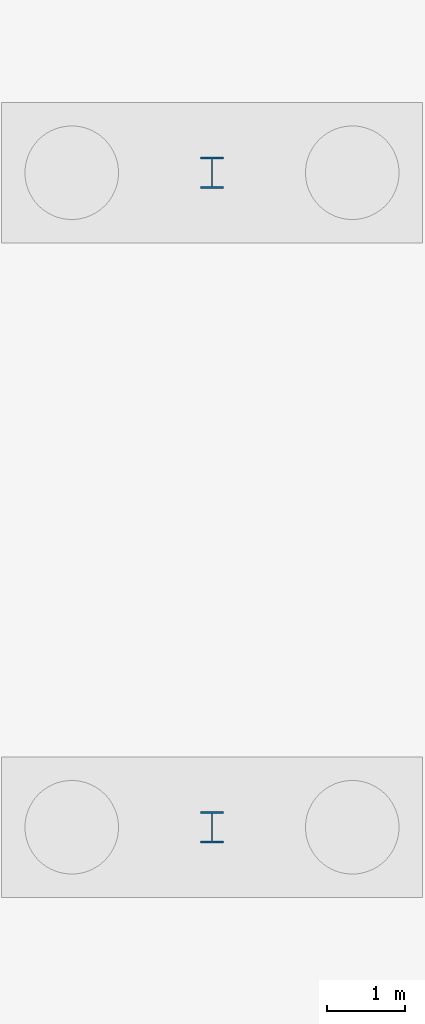
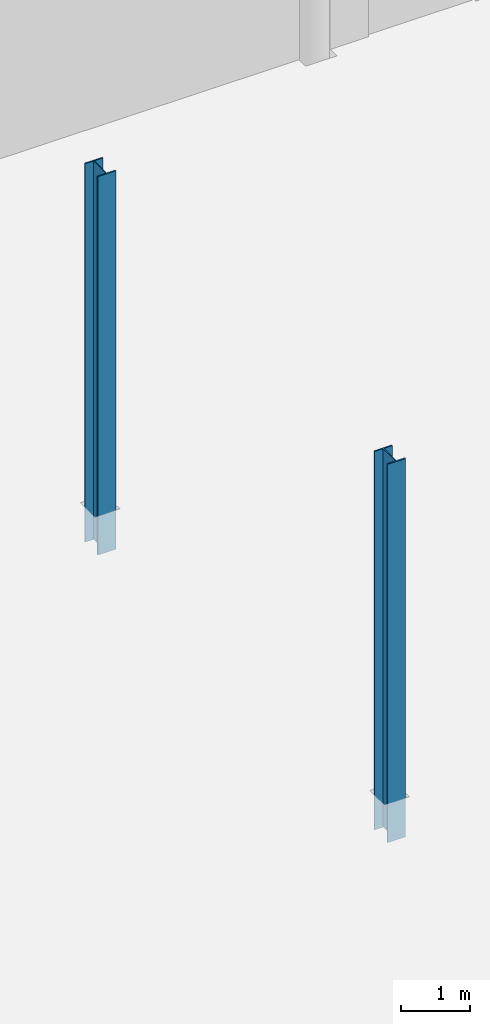
# One storey, part 12 of 212: 2 columns.
"""IFC4 building model written with IfcOpenShell, lengths in metres."""

from ifc_helpers import new_model, si_unit, direction, frame, origin, origin_2d, place, context, subcontext, project, spatial, i_section, extrude, material, material_profile, profile_set, type_object, element, save


model = new_model("IFC4")

# Units and contexts
model_context = context("Model", 3, precision=1e-05, world=origin(), true_north=direction((0.0, 1.0)))
body_context = subcontext(model_context, "Body", "Model", "MODEL_VIEW")
ifc_project = project(units=[si_unit("LENGTHUNIT", "METRE"), si_unit("AREAUNIT", "SQUARE_METRE"), si_unit("VOLUMEUNIT", "CUBIC_METRE"), si_unit("PLANEANGLEUNIT", "RADIAN"), si_unit("MASSUNIT", "GRAM", prefix="KILO")], contexts=[model_context])

# Site, building, storey
site_placement = place(None, origin())
site = spatial("IfcSite", under=ifc_project, at=site_placement, CompositionType="ELEMENT")
building_placement = place(site_placement, origin())
building = spatial("IfcBuilding", under=site, at=building_placement, Name="Catenary Quay Ferry Terminal", CompositionType="ELEMENT")
storey_placement = place(building_placement, origin())
storey = spatial("IfcBuildingStorey", under=building, at=storey_placement, Name="L00", CompositionType="ELEMENT", Elevation=0.0)

# Columns
ifc_material = material(Name="Steel S355", Category="steel")
ifc_material_profile = material_profile(ifc_material, i_section(OverallWidth=0.300048828125, OverallDepth=0.39990234375, WebThickness=0.013427734375, FlangeThickness=0.02392578125, at=origin_2d()), Name="HEB 400")
ifc_profile_set = profile_set([ifc_material_profile], Name="Steel S355")
column_type = type_object("IfcColumnType", Name="C2 HEB 400", PredefinedType="COLUMN", material=ifc_profile_set)
for number, where, z_axis, x_axis, name in (
    (1, (58.800048828125, 84.0, -0.699951171875), (0.0, 0.0, 1.0), (1.0, 0.0, 0.0), "Column C-H11 L00"),
    (2, (58.800048828125, 92.39990234375, -0.699951171875), (0.0, 0.0, 1.0), (1.0, 0.0, 0.0), "Column C-H12 L00"),
):
    element("IfcColumn", number, at=place(storey_placement, frame(where, z_axis=z_axis, x_axis=x_axis)), inside=storey, type_object=column_type, Name=name, PredefinedType="COLUMN", context=body_context, shape_type="SweptSolid", body=[
        extrude(i_section(OverallWidth=0.300048828125, OverallDepth=0.39990234375, WebThickness=0.013427734375, FlangeThickness=0.02392578125, at=origin_2d()), origin(), (0.0, 0.0, 1.0), 6.699951171875),
    ])

save(model, "model.ifc")
